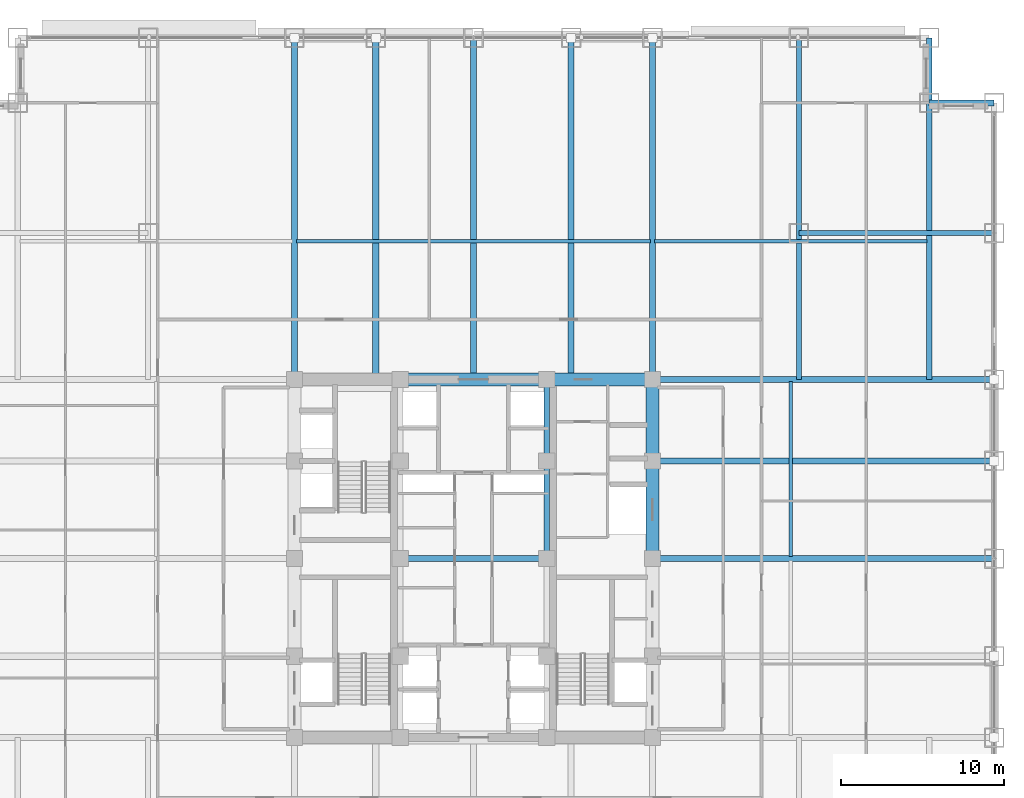
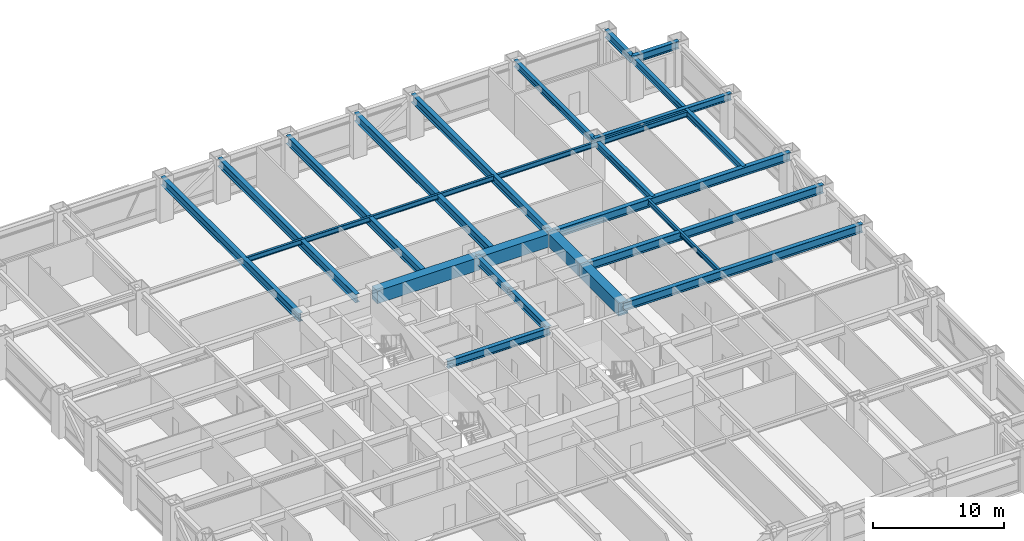
# One storey, part 11 of 32: 23 beams.
"""IFC4 building model written with IfcOpenShell, lengths in metres."""

from ifc_helpers import new_model, si_unit, direction, frame, origin, origin_2d, place, context, subcontext, project, spatial, rectangle, i_section, extrude, source, transform, mapped, material, material_profile, profile_set, type_object, element, save


model = new_model("IFC4")

# Units and contexts
model_context = context("Model", 3, precision=1e-05, world=origin(), true_north=direction((0.0, 1.0)))
body_context = subcontext(model_context, "Body", "Model", "MODEL_VIEW")
ifc_project = project(units=[si_unit("LENGTHUNIT", "METRE"), si_unit("AREAUNIT", "SQUARE_METRE"), si_unit("VOLUMEUNIT", "CUBIC_METRE"), si_unit("PLANEANGLEUNIT", "RADIAN"), si_unit("MASSUNIT", "GRAM", prefix="KILO")], contexts=[model_context])

# Site, building, storey
site_placement = place(None, origin())
site = spatial("IfcSite", under=ifc_project, at=site_placement, CompositionType="ELEMENT")
building_placement = place(site_placement, origin())
building = spatial("IfcBuilding", under=site, at=building_placement, Name="Khorayat Bourse Tower", CompositionType="ELEMENT")
storey_placement = place(building_placement, frame((0.0, 0.0, 128.300048828125)))
storey = spatial("IfcBuildingStorey", under=building, at=storey_placement, Name="L29", CompositionType="ELEMENT", Elevation=128.300048828125)

# Beams
ifc_material_1 = material(Name="Concrete C72/90", Category="concrete")
ifc_material_profile_1 = material_profile(ifc_material_1, rectangle(XDim=0.800048828125, YDim=1.199951171875, at=origin_2d()), Name="RC 800x1200")
ifc_profile_set_1 = profile_set([ifc_material_profile_1], Name="Concrete C72/90")
beam_type_1 = type_object("IfcBeamType", Name="BM-COUP-1200", PredefinedType="BEAM", material=ifc_profile_set_1)
shared_shape_1 = source(origin(), body_context, "Body", "SweptSolid", [
    extrude(rectangle(XDim=0.800048828125, YDim=1.199951171875, at=origin_2d()), origin(), (0.0, 0.0, 1.0), 5.0),
])
beam_1_placement = place(storey_placement, frame((11.0, 6.0, 3.239990234375), z_axis=(0.0, 1.0, 0.0), x_axis=(-1.0, 0.0, 0.0)))
element("IfcBeam", 1, at=beam_1_placement, inside=storey, type_object=beam_type_1, Name="L29 BM-COUP-1200 BM-L29-CRX-16", PredefinedType="BEAM", context=body_context, shape_type="MappedRepresentation", body=[
    mapped(shared_shape_1, transform((0.0, 0.0, 0.0), scale=1.0)),
])
shared_shape_2 = source(origin(), body_context, "Body", "SweptSolid", [
    extrude(rectangle(XDim=0.800048828125, YDim=1.199951171875, at=origin_2d()), origin(), (0.0, 0.0, 1.0), 6.0),
])
beam_2_placement = place(storey_placement, frame((11.0, 0.0, 3.239990234375), z_axis=(0.0, 1.0, 0.0), x_axis=(-1.0, 0.0, 0.0)))
element("IfcBeam", 2, at=beam_2_placement, inside=storey, type_object=beam_type_1, Name="L29 BM-COUP-1200 BM-L29-CRX-15", PredefinedType="BEAM", context=body_context, shape_type="MappedRepresentation", body=[
    mapped(shared_shape_2, transform((0.0, 0.0, 0.0), scale=1.0)),
])
ifc_material_2 = material(Name="Steel ASTM A992 Grade 50", Category="steel")
ifc_material_profile_2 = material_profile(ifc_material_2, i_section(OverallWidth=0.35498046875, OverallDepth=0.695068359375, WebThickness=0.015380859375, FlangeThickness=0.02490234375, FilletRadius=0.01806640625, at=origin_2d()), Name="W690X217")
ifc_profile_set_2 = profile_set([ifc_material_profile_2], Name="Steel ASTM A992 Grade 50")
beam_type_2 = type_object("IfcBeamType", Name="BM-GIRD-690", PredefinedType="BEAM", material=ifc_profile_set_2)
shared_shape_3 = source(origin(), body_context, "Body", "SweptSolid", [
    extrude(i_section(OverallWidth=0.35498046875, OverallDepth=0.695068359375, WebThickness=0.015380859375, FlangeThickness=0.02490234375, FilletRadius=0.01806640625, at=origin_2d()), origin(), (0.0, 0.0, 1.0), 5.0),
])
beam_3_placement = place(storey_placement, frame((4.5, 6.0, 3.492431640625), z_axis=(0.0, 1.0, 0.0), x_axis=(-1.0, 0.0, 0.0)))
element("IfcBeam", 3, at=beam_3_placement, inside=storey, type_object=beam_type_2, Name="L29 BM-GIRD-690 BM-L29-CRX-12", PredefinedType="BEAM", context=body_context, shape_type="MappedRepresentation", body=[
    mapped(shared_shape_3, transform((0.0, 0.0, 0.0), scale=1.0)),
])
shared_shape_4 = source(origin(), body_context, "Body", "SweptSolid", [
    extrude(i_section(OverallWidth=0.35498046875, OverallDepth=0.695068359375, WebThickness=0.015380859375, FlangeThickness=0.02490234375, FilletRadius=0.01806640625, at=origin_2d()), origin(), (0.0, 0.0, 1.0), 6.0),
])
beam_4_placement = place(storey_placement, frame((4.5, 0.0, 3.492431640625), z_axis=(0.0, 1.0, 0.0), x_axis=(-1.0, 0.0, 0.0)))
element("IfcBeam", 4, at=beam_4_placement, inside=storey, type_object=beam_type_2, Name="L29 BM-GIRD-690 BM-L29-CRX-11", PredefinedType="BEAM", context=body_context, shape_type="MappedRepresentation", body=[
    mapped(shared_shape_4, transform((0.0, 0.0, 0.0), scale=1.0)),
])
shared_shape_5 = source(origin(), body_context, "Body", "SweptSolid", [
    extrude(rectangle(XDim=0.800048828125, YDim=1.199951171875, at=origin_2d()), origin(), (0.0, 0.0, 1.0), 6.5),
])
beam_5_placement = place(storey_placement, frame((4.5, 11.0, 3.239990234375), z_axis=(1.0, 0.0, 0.0), x_axis=(0.0, 1.0, 0.0)))
element("IfcBeam", 5, at=beam_5_placement, inside=storey, type_object=beam_type_1, Name="L29 BM-COUP-1200 BM-L29-CRY-22", PredefinedType="BEAM", context=body_context, shape_type="MappedRepresentation", body=[
    mapped(shared_shape_5, transform((0.0, 0.0, 0.0), scale=1.0)),
])
shared_shape_6 = source(origin(), body_context, "Body", "SweptSolid", [
    extrude(rectangle(XDim=0.800048828125, YDim=1.199951171875, at=origin_2d()), origin(), (0.0, 0.0, 1.0), 9.0),
])
beam_6_placement = place(storey_placement, frame((-4.5, 11.0, 3.239990234375), z_axis=(1.0, 0.0, 0.0), x_axis=(0.0, 1.0, 0.0)))
element("IfcBeam", 6, at=beam_6_placement, inside=storey, type_object=beam_type_1, Name="L29 BM-COUP-1200 BM-L29-CRY-21", PredefinedType="BEAM", context=body_context, shape_type="MappedRepresentation", body=[
    mapped(shared_shape_6, transform((0.0, 0.0, 0.0), scale=1.0)),
])
shared_shape_7 = source(origin(), body_context, "Body", "SweptSolid", [
    extrude(i_section(OverallWidth=0.35498046875, OverallDepth=0.695068359375, WebThickness=0.015380859375, FlangeThickness=0.02490234375, FilletRadius=0.01806640625, at=origin_2d()), origin(), (0.0, 0.0, 1.0), 9.0),
])
beam_7_placement = place(storey_placement, frame((-4.5, 0.0, 3.492431640625), z_axis=(1.0, 0.0, 0.0), x_axis=(0.0, 1.0, 0.0)))
element("IfcBeam", 7, at=beam_7_placement, inside=storey, type_object=beam_type_2, Name="L29 BM-GIRD-690 BM-L29-CRY-23", PredefinedType="BEAM", context=body_context, shape_type="MappedRepresentation", body=[
    mapped(shared_shape_7, transform((0.0, 0.0, 0.0), scale=1.0)),
])
ifc_material_profile_3 = material_profile(ifc_material_2, i_section(OverallWidth=0.324951171875, OverallDepth=0.615966796875, WebThickness=0.013916015625, FlangeThickness=0.021484375, FilletRadius=0.01611328125, at=origin_2d()), Name="W610X174")
ifc_profile_set_3 = profile_set([ifc_material_profile_3], Name="Steel ASTM A992 Grade 50")
beam_type_3 = type_object("IfcBeamType", Name="BM-GIRD-610", PredefinedType="BEAM", material=ifc_profile_set_3)
shared_shape_8 = source(origin(), body_context, "Body", "SweptSolid", [
    extrude(i_section(OverallWidth=0.324951171875, OverallDepth=0.615966796875, WebThickness=0.013916015625, FlangeThickness=0.021484375, FilletRadius=0.01611328125, at=origin_2d()), origin(), (0.0, 0.0, 1.0), 21.0),
])
beam_8_placement = place(storey_placement, frame((20.0, 11.0, 3.531982421875), z_axis=(0.0, 1.0, 0.0), x_axis=(-1.0, 0.0, 0.0)))
element("IfcBeam", 8, at=beam_8_placement, inside=storey, type_object=beam_type_3, Name="L29 BM-GIRD-610 BM-L29-CNRY-087", PredefinedType="BEAM", context=body_context, shape_type="MappedRepresentation", body=[
    mapped(shared_shape_8, transform((0.0, 0.0, 0.0), scale=1.0)),
])
shared_shape_9 = source(origin(), body_context, "Body", "SweptSolid", [
    extrude(i_section(OverallWidth=0.324951171875, OverallDepth=0.615966796875, WebThickness=0.013916015625, FlangeThickness=0.021484375, FilletRadius=0.01611328125, at=origin_2d()), origin(), (0.0, 0.0, 1.0), 12.0),
])
beam_9_placement = place(storey_placement, frame((20.0, 20.0, 3.531982421875), z_axis=(1.0, 0.0, 0.0), x_axis=(0.0, 1.0, 0.0)))
element("IfcBeam", 9, at=beam_9_placement, inside=storey, type_object=beam_type_3, Name="L29 BM-GIRD-610 BM-L29-CNRX-094", PredefinedType="BEAM", context=body_context, shape_type="MappedRepresentation", body=[
    mapped(shared_shape_9, transform((0.0, 0.0, 0.0), scale=1.0)),
])
ifc_material_profile_4 = material_profile(ifc_material_2, i_section(OverallWidth=0.194091796875, OverallDepth=0.468994140625, WebThickness=0.0126953125, FlangeThickness=0.0205078125, FilletRadius=0.012939453125, at=origin_2d()), Name="W460X106")
ifc_profile_set_4 = profile_set([ifc_material_profile_4], Name="Steel ASTM A992 Grade 50")
beam_type_4 = type_object("IfcBeamType", Name="BM-JOIST-460", PredefinedType="JOIST", material=ifc_profile_set_4)
shared_shape_10 = source(origin(), body_context, "Body", "SweptSolid", [
    extrude(i_section(OverallWidth=0.194091796875, OverallDepth=0.468994140625, WebThickness=0.0126953125, FlangeThickness=0.0205078125, FilletRadius=0.012939453125, at=origin_2d()), origin(), (0.0, 0.0, 1.0), 21.740234375),
])
beam_10_placement = place(storey_placement, frame((-10.8701171875, 19.5, 3.60546875), z_axis=(1.0, 0.0, 0.0), x_axis=(0.0, 1.0, 0.0)))
element("IfcBeam", 10, at=beam_10_placement, inside=storey, type_object=beam_type_4, Name="L29 BM-JOIST-460 BM-L29-JSTX-100", PredefinedType="JOIST", context=body_context, shape_type="MappedRepresentation", body=[
    mapped(shared_shape_10, transform((0.0, 0.0, 0.0), scale=1.0)),
])
shared_shape_11 = source(origin(), body_context, "Body", "SweptSolid", [
    extrude(i_section(OverallWidth=0.194091796875, OverallDepth=0.468994140625, WebThickness=0.0126953125, FlangeThickness=0.0205078125, FilletRadius=0.012939453125, at=origin_2d()), origin(), (0.0, 0.0, 1.0), 10.740234375),
])
beam_11_placement = place(storey_placement, frame((19.5, 0.1298828125, 3.60546875), z_axis=(0.0, 1.0, 0.0), x_axis=(-1.0, 0.0, 0.0)))
element("IfcBeam", 11, at=beam_11_placement, inside=storey, type_object=beam_type_4, Name="L29 BM-JOIST-460 BM-L29-JSTY-105", PredefinedType="JOIST", context=body_context, shape_type="MappedRepresentation", body=[
    mapped(shared_shape_11, transform((0.0, 0.0, 0.0), scale=1.0)),
])
ifc_material_profile_5 = material_profile(ifc_material_2, i_section(OverallWidth=0.35498046875, OverallDepth=0.695068359375, WebThickness=0.015380859375, FlangeThickness=0.02490234375, FilletRadius=0.01806640625, at=origin_2d()), Name="W690X217")
ifc_profile_set_5 = profile_set([ifc_material_profile_5], Name="Steel ASTM A992 Grade 50")
beam_type_5 = type_object("IfcBeamType", Name="BM-SPAN-690", PredefinedType="SPANDREL", material=ifc_profile_set_5)
shared_shape_12 = source(origin(), body_context, "Body", "SweptSolid", [
    extrude(i_section(OverallWidth=0.35498046875, OverallDepth=0.695068359375, WebThickness=0.015380859375, FlangeThickness=0.02490234375, FilletRadius=0.01806640625, at=origin_2d()), origin(), (0.0, 0.0, 1.0), 4.0),
])
for number, where, z_axis, x_axis, name in (
    (12, (28.0, 28.0, 3.492431640625), (1.0, 0.0, 0.0), (0.0, 1.0, 0.0), "L29 BM-SPAN-690 BM-L29-SPN-042"),
    (13, (28.0, 28.0, 3.492431640625), (0.0, 1.0, 0.0), (-1.0, 0.0, 0.0), "L29 BM-SPAN-690 BM-L29-SPN-043"),
):
    element("IfcBeam", number, at=place(storey_placement, frame(where, z_axis=z_axis, x_axis=x_axis)), inside=storey, type_object=beam_type_5, Name=name, PredefinedType="SPANDREL", context=body_context, shape_type="MappedRepresentation", body=[
        mapped(shared_shape_12, transform((0.0, 0.0, 0.0), scale=1.0)),
    ])
ifc_material_profile_6 = material_profile(ifc_material_2, i_section(OverallWidth=0.381103515625, OverallDepth=0.77294921875, WebThickness=0.0166015625, FlangeThickness=0.027587890625, FilletRadius=0.01806640625, at=origin_2d()), Name="W760X257")
ifc_profile_set_6 = profile_set([ifc_material_profile_6], Name="Steel ASTM A992 Grade 50")
beam_type_6 = type_object("IfcBeamType", Name="BM-GIRD-760", PredefinedType="BEAM", material=ifc_profile_set_6)
shared_shape_13 = source(origin(), body_context, "Body", "SweptSolid", [
    extrude(i_section(OverallWidth=0.381103515625, OverallDepth=0.77294921875, WebThickness=0.0166015625, FlangeThickness=0.027587890625, FilletRadius=0.01806640625, at=origin_2d()), origin(), (0.0, 0.0, 1.0), 21.0),
])
for number, where, z_axis, x_axis, name in (
    (14, (-11.0, 11.0, 3.453369140625), (0.0, 1.0, 0.0), (-1.0, 0.0, 0.0), "L29 BM-GIRD-760 BM-L29-RADY-064"),
    (15, (-6.0, 11.0, 3.453369140625), (0.0, 1.0, 0.0), (-1.0, 0.0, 0.0), "L29 BM-GIRD-760 BM-L29-RADY-066"),
    (16, (0.0, 11.0, 3.453369140625), (0.0, 1.0, 0.0), (-1.0, 0.0, 0.0), "L29 BM-GIRD-760 BM-L29-RADY-068"),
    (17, (6.0, 11.0, 3.453369140625), (0.0, 1.0, 0.0), (-1.0, 0.0, 0.0), "L29 BM-GIRD-760 BM-L29-RADY-070"),
    (18, (11.0, 11.0, 3.453369140625), (0.0, 1.0, 0.0), (-1.0, 0.0, 0.0), "L29 BM-GIRD-760 BM-L29-RADY-072"),
    (19, (11.0, 0.0, 3.453369140625), (1.0, 0.0, 0.0), (0.0, 1.0, 0.0), "L29 BM-GIRD-760 BM-L29-RADX-078"),
    (20, (11.0, 6.0, 3.453369140625), (1.0, 0.0, 0.0), (0.0, 1.0, 0.0), "L29 BM-GIRD-760 BM-L29-RADX-080"),
    (21, (11.0, 11.0, 3.453369140625), (1.0, 0.0, 0.0), (0.0, 1.0, 0.0), "L29 BM-GIRD-760 BM-L29-RADX-082"),
):
    element("IfcBeam", number, at=place(storey_placement, frame(where, z_axis=z_axis, x_axis=x_axis)), inside=storey, type_object=beam_type_6, Name=name, PredefinedType="BEAM", context=body_context, shape_type="MappedRepresentation", body=[
        mapped(shared_shape_13, transform((0.0, 0.0, 0.0), scale=1.0)),
    ])
shared_shape_14 = source(origin(), body_context, "Body", "SweptSolid", [
    extrude(i_section(OverallWidth=0.324951171875, OverallDepth=0.615966796875, WebThickness=0.013916015625, FlangeThickness=0.021484375, FilletRadius=0.01611328125, at=origin_2d()), origin(), (0.0, 0.0, 1.0), 17.0),
])
beam_12_placement = place(storey_placement, frame((28.0, 11.0, 3.531982421875), z_axis=(0.0, 1.0, 0.0), x_axis=(-1.0, 0.0, 0.0)))
element("IfcBeam", 22, at=beam_12_placement, inside=storey, type_object=beam_type_3, Name="L29 BM-GIRD-610 BM-L29-CNRY-091", PredefinedType="BEAM", context=body_context, shape_type="MappedRepresentation", body=[
    mapped(shared_shape_14, transform((0.0, 0.0, 0.0), scale=1.0)),
])
shared_shape_15 = source(origin(), body_context, "Body", "SweptSolid", [
    extrude(i_section(OverallWidth=0.194091796875, OverallDepth=0.468994140625, WebThickness=0.0126953125, FlangeThickness=0.0205078125, FilletRadius=0.012939453125, at=origin_2d()), origin(), (0.0, 0.0, 1.0), 16.740234375),
])
beam_13_placement = place(storey_placement, frame((11.1298828125, 19.5, 3.60546875), z_axis=(1.0, 0.0, 0.0), x_axis=(0.0, 1.0, 0.0)))
element("IfcBeam", 23, at=beam_13_placement, inside=storey, type_object=beam_type_4, Name="L29 BM-JOIST-460 BM-L29-JSTX-101", PredefinedType="JOIST", context=body_context, shape_type="MappedRepresentation", body=[
    mapped(shared_shape_15, transform((0.0, 0.0, 0.0), scale=1.0)),
])

save(model, "model.ifc")
